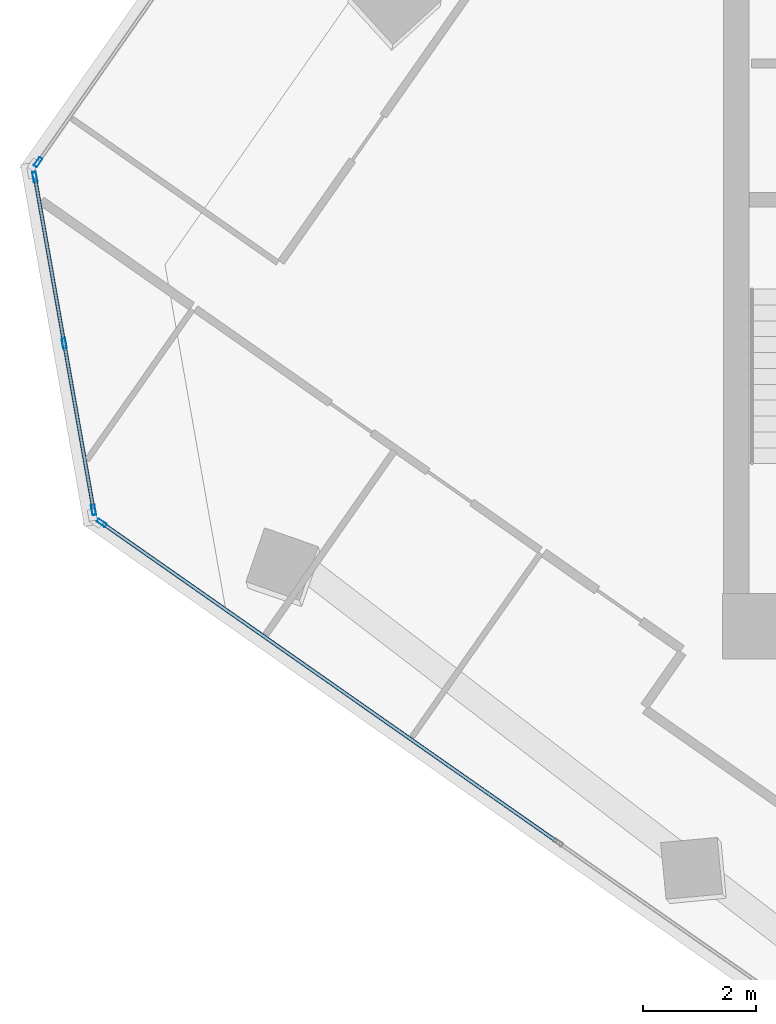
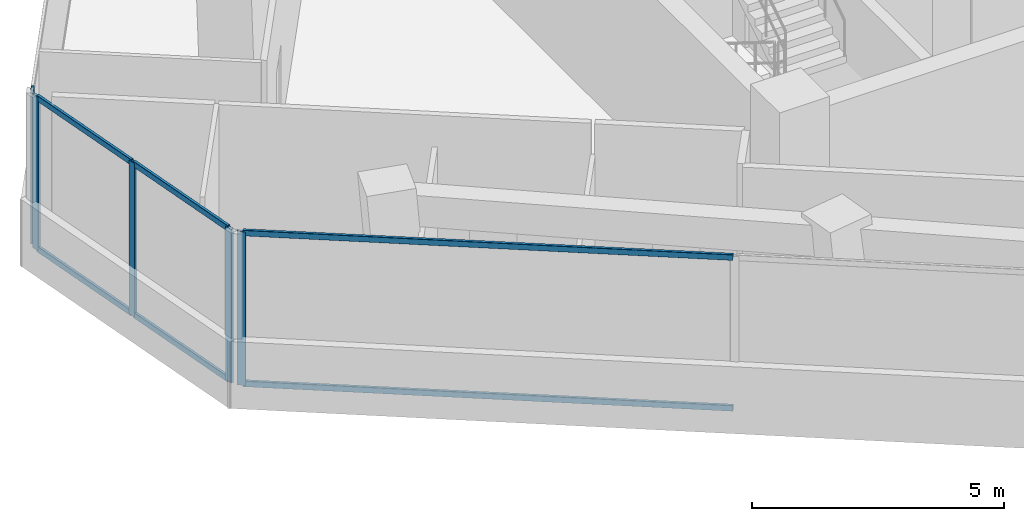
# One storey, part 5 of 21: 11 members, 3 elements without a shape of their own.
"""IFC4 building model written with IfcOpenShell, lengths in metres."""

from ifc_helpers import new_model, si_unit, direction, frame, origin, origin_2d, place, context, subcontext, project, spatial, hollow_rectangle, extrude, source, transform, mapped, material, material_profile, profile_set, type_object, element, aggregate, save


model = new_model("IFC4")

# Units and contexts
model_context = context("Model", 3, precision=1e-05, world=origin(), true_north=direction((0.0, 1.0)))
body_context = subcontext(model_context, "Body", "Model", "MODEL_VIEW")
ifc_project = project(units=[si_unit("LENGTHUNIT", "METRE"), si_unit("AREAUNIT", "SQUARE_METRE"), si_unit("VOLUMEUNIT", "CUBIC_METRE"), si_unit("PLANEANGLEUNIT", "RADIAN"), si_unit("MASSUNIT", "GRAM", prefix="KILO")], contexts=[model_context])

# Site, building, storey
site_placement = place(None, origin())
site = spatial("IfcSite", under=ifc_project, at=site_placement, CompositionType="ELEMENT")
building_placement = place(site_placement, origin())
building = spatial("IfcBuilding", under=site, at=building_placement, Name="Torre Montelarca", CompositionType="ELEMENT")
storey_placement = place(building_placement, frame((0.0, 0.0, 200.199951171875)))
storey = spatial("IfcBuildingStorey", under=building, at=storey_placement, Name="L45", CompositionType="ELEMENT", Elevation=200.199951171875)

# Curtain wall, members
ifc_material_1 = material(Name="Insulated low-E laminated glass", Category="glass")
curtain_wall_type = type_object("IfcCurtainWallType", Name="CW-SYS-Z2", PredefinedType="USERDEFINED", material=ifc_material_1)
curtain_wall_1_placement = place(storey_placement, origin())
curtain_wall_1 = element("IfcCurtainWall", 1, at=curtain_wall_1_placement, inside=storey, type_object=curtain_wall_type, Name="L45 Curtain Wall Run CW-T3-L45-E11-B1", ObjectType="UNITISED GLAZING", PredefinedType="USERDEFINED")
ifc_material_2 = material(Name="Anodised aluminium AA 6063-T6", Category="aluminium")
ifc_material_profile_1 = material_profile(ifc_material_2, hollow_rectangle(XDim=0.06494140625, YDim=0.139892578125, WallThickness=0.00390625, InnerFilletRadius=0.00390625, OuterFilletRadius=0.008056640625, at=origin_2d()), Name="ALU65X140X4", Category="aluminium")
ifc_profile_set_1 = profile_set([ifc_material_profile_1], Name="Anodised aluminium AA 6063-T6")
member_type_1 = type_object("IfcMemberType", Name="CWT-ALU140", PredefinedType="USERDEFINED", material=ifc_profile_set_1)
shared_shape_1 = source(origin(), body_context, "Body", "SweptSolid", [
    extrude(hollow_rectangle(XDim=0.06494140625, YDim=0.139892578125, WallThickness=0.00390625, InnerFilletRadius=0.00390625, OuterFilletRadius=0.008056640625, at=origin_2d()), origin(), (0.0, 0.0, 1.0), 2.918701171875),
])
member_1_placement = place(storey_placement, frame((-3.146240234375, 32.44580078125, 0.032470703125), z_axis=(0.173656489641, -0.984806287351, 0.0), x_axis=(0.984806287351, 0.173656489641, 0.0)))
member_1 = element("IfcMember", 2, at=member_1_placement, type_object=member_type_1, Name="CW transom 1.1", ObjectType="TRANSOM", PredefinedType="USERDEFINED", context=body_context, shape_type="MappedRepresentation", body=[
    mapped(shared_shape_1, transform((0.0, 0.0, 0.0), scale=1.0)),
])
member_2_placement = place(storey_placement, frame((-3.146240234375, 32.44580078125, 3.6875), z_axis=(0.173656489641, -0.984806287351, 0.0), x_axis=(0.984806287351, 0.173656489641, 0.0)))
member_2 = element("IfcMember", 3, at=member_2_placement, type_object=member_type_1, Name="CW transom 1.2", ObjectType="TRANSOM", PredefinedType="USERDEFINED", context=body_context, shape_type="MappedRepresentation", body=[
    mapped(shared_shape_1, transform((0.0, 0.0, 0.0), scale=1.0)),
])
shared_shape_2 = source(origin(), body_context, "Body", "SweptSolid", [
    extrude(hollow_rectangle(XDim=0.06494140625, YDim=0.139892578125, WallThickness=0.00390625, InnerFilletRadius=0.00390625, OuterFilletRadius=0.008056640625, at=origin_2d()), origin(), (0.0, 0.0, 1.0), 2.91845703125),
])
member_3_placement = place(storey_placement, frame((-2.628173828125, 29.507568359375, 0.032470703125), z_axis=(0.173575360896, -0.984820589798, 0.0), x_axis=(0.984820589798, 0.173575360896, 0.0)))
member_3 = element("IfcMember", 4, at=member_3_placement, type_object=member_type_1, Name="CW transom 2.1", ObjectType="TRANSOM", PredefinedType="USERDEFINED", context=body_context, shape_type="MappedRepresentation", body=[
    mapped(shared_shape_2, transform((0.0, 0.0, 0.0), scale=1.0)),
])
member_4_placement = place(storey_placement, frame((-2.628173828125, 29.507568359375, 3.6875), z_axis=(0.173575360896, -0.984820589798, 0.0), x_axis=(0.984820589798, 0.173575360896, 0.0)))
member_4 = element("IfcMember", 5, at=member_4_placement, type_object=member_type_1, Name="CW transom 2.2", ObjectType="TRANSOM", PredefinedType="USERDEFINED", context=body_context, shape_type="MappedRepresentation", body=[
    mapped(shared_shape_2, transform((0.0, 0.0, 0.0), scale=1.0)),
])

# Curtain wall, member
curtain_wall_2_placement = place(storey_placement, origin())
curtain_wall_2 = element("IfcCurtainWall", 6, at=curtain_wall_2_placement, inside=storey, type_object=curtain_wall_type, Name="L45 Curtain Wall Run CW-T3-L45-E01-B1", ObjectType="UNITISED GLAZING", PredefinedType="USERDEFINED")
ifc_material_profile_2 = material_profile(ifc_material_2, hollow_rectangle(XDim=0.06494140625, YDim=0.179931640625, WallThickness=0.00390625, InnerFilletRadius=0.00390625, OuterFilletRadius=0.008056640625, at=origin_2d()), Name="ALU65X180X4", Category="aluminium")
ifc_profile_set_2 = profile_set([ifc_material_profile_2], Name="Anodised aluminium AA 6063-T6")
member_type_2 = type_object("IfcMemberType", Name="CWM-ALU180", PredefinedType="MULLION", material=ifc_profile_set_2)
shared_shape_3 = source(origin(), body_context, "Body", "SweptSolid", [
    extrude(hollow_rectangle(XDim=0.06494140625, YDim=0.179931640625, WallThickness=0.00390625, InnerFilletRadius=0.00390625, OuterFilletRadius=0.008056640625, at=origin_2d()), origin(), (0.0, 0.0, 1.0), 3.719970703125),
])
member_5_placement = place(storey_placement, frame((-1.972412109375, 26.3759765625, 0.0), z_axis=(0.0, 0.0, 1.0), x_axis=(0.573572586819, 0.819154739747, 0.0)))
member_5 = element("IfcMember", 7, at=member_5_placement, type_object=member_type_2, Name="CW mullion 1", PredefinedType="MULLION", context=body_context, shape_type="MappedRepresentation", body=[
    mapped(shared_shape_3, transform((0.0, 0.0, 0.0), scale=1.0)),
])

curtain_wall_3_placement = place(storey_placement, origin())
curtain_wall_3 = element("IfcCurtainWall", 8, at=curtain_wall_3_placement, inside=storey, type_object=curtain_wall_type, Name="L45 Curtain Wall Run CW-T3-L45-E10-B1", ObjectType="UNITISED GLAZING", PredefinedType="USERDEFINED")
member_6_placement = place(storey_placement, frame((-3.093994140625, 32.738525390625, 0.0), z_axis=(0.0, 0.0, 1.0), x_axis=(0.81915751291, -0.573568626271, 0.0)))
member_6 = element("IfcMember", 9, at=member_6_placement, type_object=member_type_2, Name="CW mullion 3", PredefinedType="MULLION", context=body_context, shape_type="MappedRepresentation", body=[
    mapped(shared_shape_3, transform((0.0, 0.0, 0.0), scale=1.0)),
])
aggregate(curtain_wall_3, [member_6])

# Member
member_7_placement = place(storey_placement, frame((-3.15185546875, 32.477783203125, 0.0), z_axis=(0.0, 0.0, 1.0), x_axis=(0.984812584282, 0.173620775944, 0.0)))
member_7 = element("IfcMember", 10, at=member_7_placement, type_object=member_type_2, Name="CW mullion 1", PredefinedType="MULLION", context=body_context, shape_type="MappedRepresentation", body=[
    mapped(shared_shape_3, transform((0.0, 0.0, 0.0), scale=1.0)),
])

member_8_placement = place(storey_placement, frame((-2.6337890625, 29.53955078125, 0.0), z_axis=(0.0, 0.0, 1.0), x_axis=(0.984812584282, 0.173620775944, 0.0)))
member_8 = element("IfcMember", 11, at=member_8_placement, type_object=member_type_2, Name="CW mullion 2", PredefinedType="MULLION", context=body_context, shape_type="MappedRepresentation", body=[
    mapped(shared_shape_3, transform((0.0, 0.0, 0.0), scale=1.0)),
])

member_9_placement = place(storey_placement, frame((-2.11572265625, 26.601318359375, 0.0), z_axis=(0.0, 0.0, 1.0), x_axis=(0.984812584282, 0.173620775944, 0.0)))
member_9 = element("IfcMember", 12, at=member_9_placement, type_object=member_type_2, Name="CW mullion 3", PredefinedType="MULLION", context=body_context, shape_type="MappedRepresentation", body=[
    mapped(shared_shape_3, transform((0.0, 0.0, 0.0), scale=1.0)),
])

aggregate(curtain_wall_1, [member_7, member_8, member_9, member_1, member_2, member_3, member_4])

shared_shape_4 = source(origin(), body_context, "Body", "SweptSolid", [
    extrude(hollow_rectangle(XDim=0.06494140625, YDim=0.139892578125, WallThickness=0.00390625, InnerFilletRadius=0.00390625, OuterFilletRadius=0.008056640625, at=origin_2d()), origin(), (0.0, 0.0, 1.0), 9.764404296875),
])
member_10_placement = place(storey_placement, frame((-1.94580078125, 26.357421875, 0.032470703125), z_axis=(0.819154386375, -0.573573091491, 0.0), x_axis=(0.573573091491, 0.819154386375, 0.0)))
member_10 = element("IfcMember", 13, at=member_10_placement, type_object=member_type_1, Name="CW transom 1.1", ObjectType="TRANSOM", PredefinedType="USERDEFINED", context=body_context, shape_type="MappedRepresentation", body=[
    mapped(shared_shape_4, transform((0.0, 0.0, 0.0), scale=1.0)),
])

member_11_placement = place(storey_placement, frame((-1.94580078125, 26.357421875, 3.6875), z_axis=(0.819154386375, -0.573573091491, 0.0), x_axis=(0.573573091491, 0.819154386375, 0.0)))
member_11 = element("IfcMember", 14, at=member_11_placement, type_object=member_type_1, Name="CW transom 1.2", ObjectType="TRANSOM", PredefinedType="USERDEFINED", context=body_context, shape_type="MappedRepresentation", body=[
    mapped(shared_shape_4, transform((0.0, 0.0, 0.0), scale=1.0)),
])

aggregate(curtain_wall_2, [member_5, member_10, member_11])

save(model, "model.ifc")
